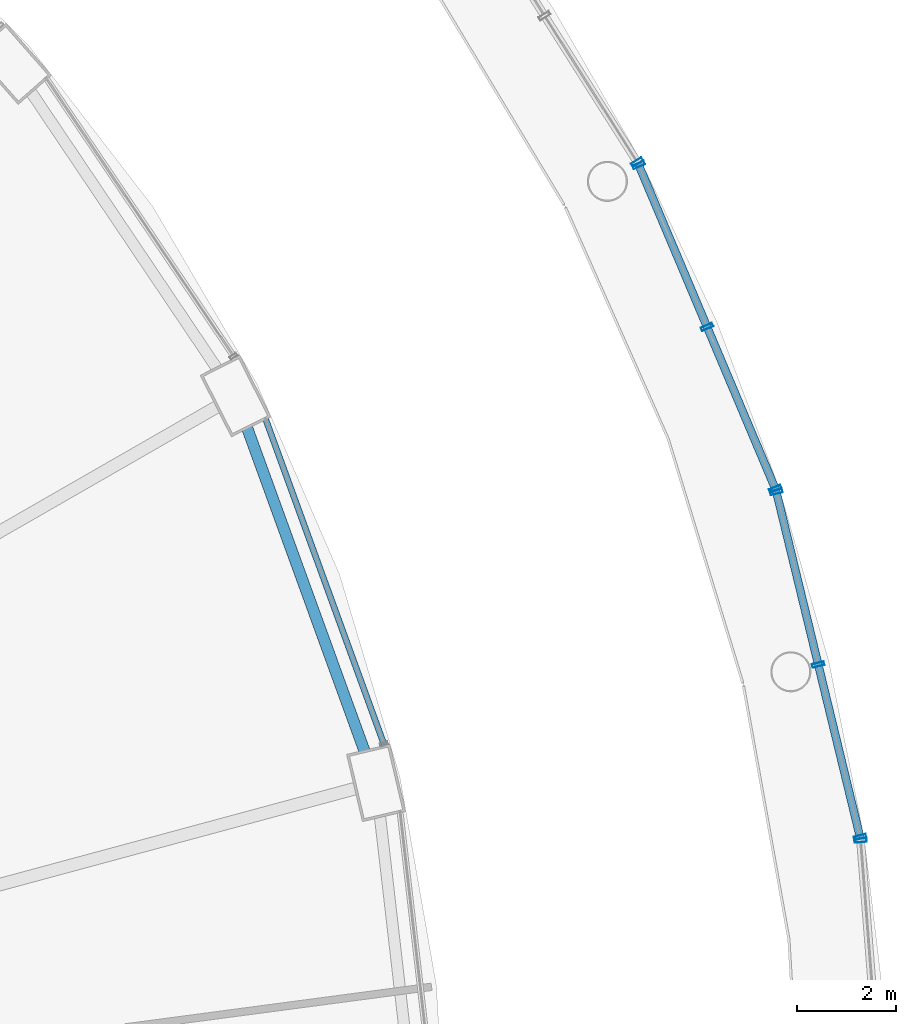
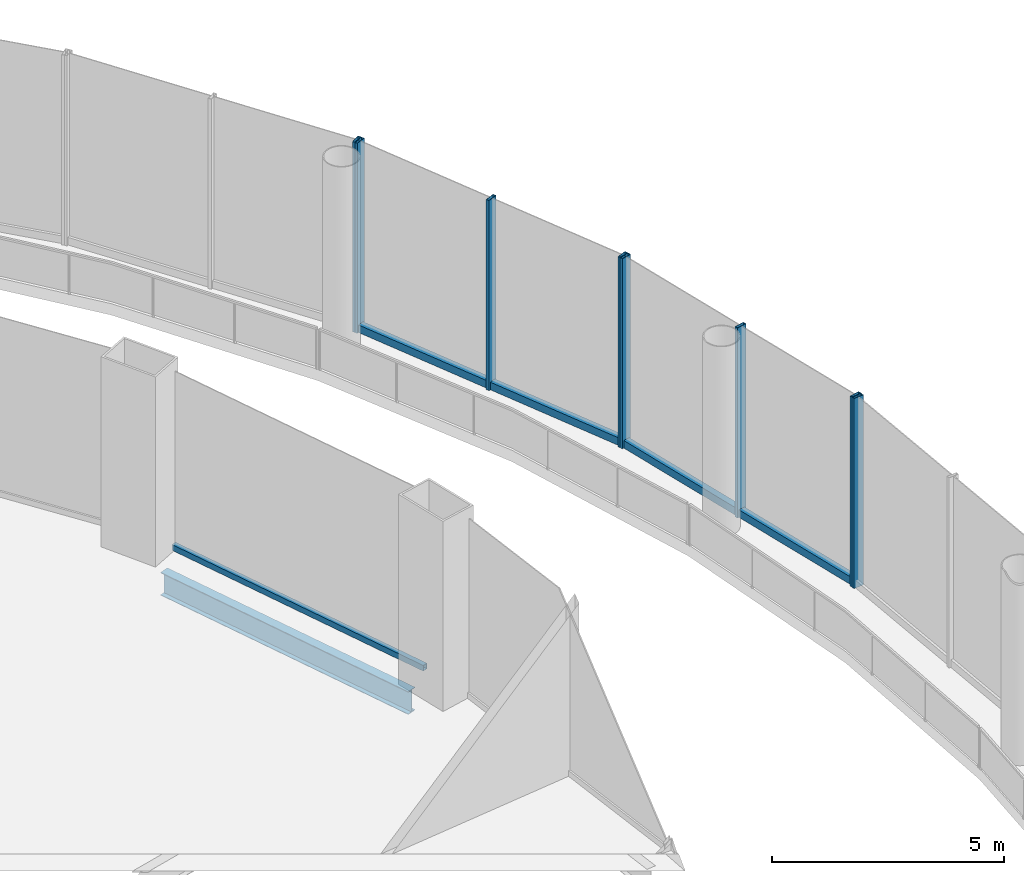
# One storey, part 27 of 47: 11 members, 1 beam, 5 elements without a shape of their own.
"""IFC4 building model written with IfcOpenShell, lengths in metres."""

import ifcopenshell
import ifcopenshell.guid

model = None  # the IFC model being written
_history = None  # IfcOwnerHistory: only IFC2X3 demands one
_inside = {}  # id of a spatial element -> (the spatial element, [elements in it])
_under = {}  # id of a project, library or spatial element -> (it, [spatial elements below it])
_declared = {}  # id of a project -> (the project, [libraries it declares])
_typed = {}  # id of a type object -> (the type object, [elements of that type])
_made_of = {}  # id of a material, layer set ... -> (it, [elements and type objects made of it])


def new_model(schema):
    """Start an empty IFC model of exactly this schema.

    Asked for "IFC4X3", IfcOpenShell would pick the latest addendum, in which some entities
    have other attributes; the version numbers below select the first issue.
    IFC2X3 requires an IfcOwnerHistory on every rooted entity: one is made here for all.
    """
    global model, _history
    if schema == "IFC4X3":
        model = ifcopenshell.file(schema_version=(4, 3, 0, 0))
    else:
        model = ifcopenshell.file(schema=schema)
    _inside.clear()
    _under.clear()
    _declared.clear()
    _typed.clear()
    _made_of.clear()
    _history = None
    if model.schema == "IFC2X3":
        org = make("IfcOrganization", Name="unknown")
        user = make(
            "IfcPersonAndOrganization",
            ThePerson=make("IfcPerson", FamilyName="unknown"),
            TheOrganization=org,
        )
        app = make(
            "IfcApplication",
            ApplicationDeveloper=org,
            Version="unknown",
            ApplicationFullName="unknown",
            ApplicationIdentifier="unknown",
        )
        _history = make(
            "IfcOwnerHistory",
            OwningUser=user,
            OwningApplication=app,
            ChangeAction="ADDED",
            CreationDate=0,
        )
    return model


def make(cls, **values):
    """One entity of the class cls with the attributes given. An attribute that is None is left unset."""
    return model.create_entity(
        cls, **{name: value for name, value in values.items() if value is not None}
    )


def rooted(cls, **values):
    """An entity with a GlobalId (a new one), such as an element, a storey or a relation."""
    return make(cls, GlobalId=ifcopenshell.guid.new(), OwnerHistory=_history, **values)


def si_unit(unit_type, name, prefix=None):
    """IfcSIUnit, for example si_unit("LENGTHUNIT", "METRE", prefix="MILLI")."""
    return make("IfcSIUnit", UnitType=unit_type, Prefix=prefix, Name=name)


def assignment(units):
    """IfcUnitAssignment: the units of a project."""
    return None if units is None else make("IfcUnitAssignment", Units=units)


def point(xyz):
    """IfcCartesianPoint."""
    return None if xyz is None else make("IfcCartesianPoint", Coordinates=xyz)


def direction(xyz):
    """IfcDirection."""
    return None if xyz is None else make("IfcDirection", DirectionRatios=xyz)


def frame(location, z_axis=None, x_axis=None):
    """IfcAxis2Placement3D, a coordinate frame: its origin and axes. An axis left out is left unset."""
    return make(
        "IfcAxis2Placement3D",
        Location=point(location),
        Axis=direction(z_axis),
        RefDirection=direction(x_axis),
    )


def frame_2d(location, x_axis=None):
    """IfcAxis2Placement2D, a coordinate frame in the plane: its origin and x axis."""
    return make(
        "IfcAxis2Placement2D", Location=point(location), RefDirection=direction(x_axis)
    )


def origin():
    """The frame at (0, 0, 0) with its axes left unset."""
    return frame((0.0, 0.0, 0.0))


def origin_2d():
    """The frame at (0, 0) in the plane with its x axis left unset."""
    return frame_2d((0.0, 0.0))


def place(relative_to, where):
    """IfcLocalPlacement: puts the frame where relative to a parent placement (None: the world)."""
    return make(
        "IfcLocalPlacement", PlacementRelTo=relative_to, RelativePlacement=where
    )


def context(
    kind, dimensions, precision=None, world=None, true_north=None, identifier=None
):
    """IfcGeometricRepresentationContext, for example the 3D "Model" context."""
    return make(
        "IfcGeometricRepresentationContext",
        ContextIdentifier=identifier,
        ContextType=kind,
        CoordinateSpaceDimension=dimensions,
        Precision=precision,
        WorldCoordinateSystem=world,
        TrueNorth=true_north,
    )


def subcontext(parent, identifier, kind, view, scale=None):
    """IfcGeometricRepresentationSubContext, for example "Body" below "Model"."""
    return make(
        "IfcGeometricRepresentationSubContext",
        ContextIdentifier=identifier,
        ContextType=kind,
        ParentContext=parent,
        TargetScale=scale,
        TargetView=view,
    )


def project(units=None, contexts=None):
    """IfcProject with its units and contexts."""
    return rooted(
        "IfcProject",
        Name="project",
        RepresentationContexts=contexts,
        UnitsInContext=assignment(units),
    )


def spatial(cls, under=None, at=None, **own):
    """A site, building, storey or space (cls), placed at a placement, below another one or the project."""
    s = rooted(cls, ObjectPlacement=at, **own)
    if under is not None:
        _under.setdefault(under.id(), (under, []))[1].append(s)
    return s


def profile(cls, at=None, kind="AREA", **sizes):
    """A parametric profile (cls). Its sizes go by their IFC names, for example OverallWidth=200.0."""
    return make(cls, ProfileType=kind, Position=at, **sizes)


def hollow_rectangle(**sizes):
    """IfcRectangleHollowProfileDef."""
    return profile("IfcRectangleHollowProfileDef", **sizes)


def i_section(**sizes):
    """IfcIShapeProfileDef."""
    return profile("IfcIShapeProfileDef", **sizes)


def extrude(swept, where, along, depth):
    """IfcExtrudedAreaSolid: the profile swept, set in the frame where, extruded along a direction by depth."""
    return make(
        "IfcExtrudedAreaSolid",
        SweptArea=swept,
        Position=where,
        ExtrudedDirection=direction(along),
        Depth=depth,
    )


def shape(context_of_items, identifier, shape_type, items):
    """IfcShapeRepresentation: the items that make up one representation, for example the "Body"."""
    return make(
        "IfcShapeRepresentation",
        ContextOfItems=context_of_items,
        RepresentationIdentifier=identifier,
        RepresentationType=shape_type,
        Items=items,
    )


def material(Name=None, Category=None):
    """IfcMaterial."""
    return make("IfcMaterial", Name=Name, Category=Category)


def layer(
    of_material, thickness, ventilated=None, Name=None, Category=None, Priority=None
):
    """IfcMaterialLayer: one layer of a wall or slab, of a material (None: an air gap)."""
    return make(
        "IfcMaterialLayer",
        Material=of_material,
        LayerThickness=thickness,
        IsVentilated=ventilated,
        Name=Name,
        Category=Category,
        Priority=Priority,
    )


def layer_set(layers, Name=None):
    """IfcMaterialLayerSet."""
    return make("IfcMaterialLayerSet", MaterialLayers=layers, LayerSetName=Name)


def material_profile(
    of_material, cross_section, Name=None, Category=None, Priority=None
):
    """IfcMaterialProfile: a cross section and its material."""
    return make(
        "IfcMaterialProfile",
        Name=Name,
        Material=of_material,
        Profile=cross_section,
        Priority=Priority,
        Category=Category,
    )


def profile_set(profiles, Name=None, composite=None):
    """IfcMaterialProfileSet."""
    return make(
        "IfcMaterialProfileSet",
        Name=Name,
        MaterialProfiles=profiles,
        CompositeProfile=composite,
    )


def made_of(thing, what):
    """Note that an element or type object is made of a material, layer set ...; save() writes the relation."""
    if what is not None:
        _made_of.setdefault(what.id(), (what, []))[1].append(thing)
    return thing


def type_object(cls, material=None, **own):
    """A type object (cls), such as IfcWallType, which elements share."""
    return made_of(rooted(cls, **own), material)


def element(
    cls,
    number,
    at=None,
    inside=None,
    cuts=None,
    type_object=None,
    material=None,
    context=None,
    identifier="Body",
    shape_type=None,
    held_by="IfcProductDefinitionShape",
    body=None,
    shapes=None,
    **own,
):
    """One element of the class cls, such as IfcWall. Its Tag is "e" and its number.

    at: its placement. inside: the storey or other place that contains it. cuts: it is an
    opening in that element (IfcRelVoidsElement). A single representation is given by context,
    identifier, shape_type and body (its items); several are given by shapes. held_by: the class
    of the entity that holds the representations. save() writes the other relations.
    """
    e = rooted(cls, Tag="e%d" % number, ObjectPlacement=at, **own)
    if body is not None:
        shapes = [shape(context, identifier, shape_type, body)]
    if shapes is not None:
        e.Representation = make(held_by, Representations=shapes)
    if inside is not None:
        _inside.setdefault(inside.id(), (inside, []))[1].append(e)
    if cuts is not None:
        rooted(
            "IfcRelVoidsElement", RelatingBuildingElement=cuts, RelatedOpeningElement=e
        )
    if type_object is not None:
        _typed.setdefault(type_object.id(), (type_object, []))[1].append(e)
    return made_of(e, material)


def aggregate(whole, parts):
    """IfcRelAggregates: a whole, such as a stair, and the parts it consists of."""
    return rooted("IfcRelAggregates", RelatingObject=whole, RelatedObjects=parts)


def save(model, path):
    """Write the relations noted so far, then the file.

    IfcRelAggregates (storeys below a building ...), IfcRelContainedInSpatialStructure (elements
    in a storey), IfcRelDefinesByType, IfcRelAssociatesMaterial and IfcRelDeclares: one each for
    every whole, place, type object, material and project.
    """
    for whole, parts in _under.values():
        aggregate(whole, parts)
    for where, things in _inside.values():
        rooted(
            "IfcRelContainedInSpatialStructure",
            RelatedElements=things,
            RelatingStructure=where,
        )
    for kind, things in _typed.values():
        rooted("IfcRelDefinesByType", RelatedObjects=things, RelatingType=kind)
    for what, things in _made_of.values():
        rooted("IfcRelAssociatesMaterial", RelatedObjects=things, RelatingMaterial=what)
    for by, libraries in _declared.values():
        rooted("IfcRelDeclares", RelatingContext=by, RelatedDefinitions=libraries)
    model.write(path)


model = new_model("IFC4")

# Units and contexts
model_context = context("Model", 3, precision=1e-05, world=origin(), true_north=direction((0.0, 1.0)))
body_context = subcontext(model_context, "Body", "Model", "MODEL_VIEW")
ifc_project = project(units=[si_unit("LENGTHUNIT", "METRE"), si_unit("AREAUNIT", "SQUARE_METRE"), si_unit("VOLUMEUNIT", "CUBIC_METRE"), si_unit("PLANEANGLEUNIT", "RADIAN"), si_unit("MASSUNIT", "GRAM", prefix="KILO")], contexts=[model_context])

# Site, building, storey
site_placement = place(None, origin())
site = spatial("IfcSite", under=ifc_project, at=site_placement, CompositionType="ELEMENT")
building_placement = place(site_placement, origin())
building = spatial("IfcBuilding", under=site, at=building_placement, Name="Nagisa Residences", CompositionType="ELEMENT")
storey_placement = place(building_placement, frame((0.0, 0.0, 17.0)))
storey = spatial("IfcBuildingStorey", under=building, at=storey_placement, Name="L03", CompositionType="ELEMENT", Elevation=17.0)

# Curtain wall, member
ifc_material_1 = material(Name="Stainless steel curtain wall system", Category="steel")
ifc_layer_1 = layer(ifc_material_1, 0.159912109375)
ifc_layer_set_1 = layer_set([ifc_layer_1], Name="CW3 CURTAIN WALL")
curtain_wall_type_1 = type_object("IfcCurtainWallType", Name="CW3 CURTAIN WALL", PredefinedType="NOTDEFINED", material=ifc_layer_set_1)
curtain_wall_1_placement = place(storey_placement, origin())
curtain_wall_1 = element("IfcCurtainWall", 1, at=curtain_wall_1_placement, inside=storey, type_object=curtain_wall_type_1, Name="cw:CW3:L03:00", PredefinedType="NOTDEFINED")
ifc_material_2 = material(Name="Stainless steel", Category="steel")
ifc_material_profile_1 = material_profile(ifc_material_2, hollow_rectangle(XDim=0.25, YDim=0.080078125, WallThickness=0.008056640625, at=origin_2d()), Name="CW3 MULLION 250x80")
ifc_profile_set_1 = profile_set([ifc_material_profile_1], Name="Stainless steel")
member_type_1 = type_object("IfcMemberType", Name="CW3 MULLION 250x80", PredefinedType="MULLION", material=ifc_profile_set_1)
member_1_placement = place(storey_placement, frame((40.946044921875, 7.2470703125, 0.0), z_axis=(0.0, 0.0, 1.0), x_axis=(-0.996881777235, -0.078909582539, 0.0)))
member_1 = element("IfcMember", 2, at=member_1_placement, type_object=member_type_1, Name="CW3 mullion", PredefinedType="MULLION", context=body_context, shape_type="SweptSolid", body=[
    extrude(hollow_rectangle(XDim=0.25, YDim=0.080078125, WallThickness=0.008056640625, at=origin_2d()), origin(), (0.0, 0.0, 1.0), 5.0),
])
aggregate(curtain_wall_1, [member_1])

# Curtain wall, members
curtain_wall_2_placement = place(storey_placement, origin())
curtain_wall_2 = element("IfcCurtainWall", 3, at=curtain_wall_2_placement, inside=storey, type_object=curtain_wall_type_1, Name="cw:CW3:L03:01", PredefinedType="NOTDEFINED")
member_2_placement = place(storey_placement, frame((40.935546875, 7.313232421875, 0.0), z_axis=(0.0, 0.0, 1.0), x_axis=(-0.971848775146, -0.235605514043, 0.0)))
member_2 = element("IfcMember", 4, at=member_2_placement, type_object=member_type_1, Name="CW3 mullion", PredefinedType="MULLION", context=body_context, shape_type="SweptSolid", body=[
    extrude(hollow_rectangle(XDim=0.25, YDim=0.080078125, WallThickness=0.008056640625, at=origin_2d()), origin(), (0.0, 0.0, 1.0), 5.0),
])
member_3_placement = place(storey_placement, frame((40.087646484375, 10.810302734375, 0.0), z_axis=(0.0, 0.0, 1.0), x_axis=(-0.971848775146, -0.235605514043, 0.0)))
member_3 = element("IfcMember", 5, at=member_3_placement, type_object=member_type_1, Name="CW3 mullion", PredefinedType="MULLION", context=body_context, shape_type="SweptSolid", body=[
    extrude(hollow_rectangle(XDim=0.25, YDim=0.080078125, WallThickness=0.008056640625, at=origin_2d()), origin(), (0.0, 0.0, 1.0), 5.0),
])
member_4_placement = place(storey_placement, frame((39.239990234375, 14.30712890625, 0.0), z_axis=(0.0, 0.0, 1.0), x_axis=(-0.971848775146, -0.235605514043, 0.0)))
member_4 = element("IfcMember", 6, at=member_4_placement, type_object=member_type_1, Name="CW3 mullion", PredefinedType="MULLION", context=body_context, shape_type="SweptSolid", body=[
    extrude(hollow_rectangle(XDim=0.25, YDim=0.080078125, WallThickness=0.008056640625, at=origin_2d()), origin(), (0.0, 0.0, 1.0), 5.0),
])

curtain_wall_3_placement = place(storey_placement, origin())
curtain_wall_3 = element("IfcCurtainWall", 7, at=curtain_wall_3_placement, inside=storey, type_object=curtain_wall_type_1, Name="cw:CW3:L03:02", PredefinedType="NOTDEFINED")
member_5_placement = place(storey_placement, frame((39.218994140625, 14.37060546875, 0.0), z_axis=(0.0, 0.0, 1.0), x_axis=(-0.921356767819, -0.388718029417, 0.0)))
member_5 = element("IfcMember", 8, at=member_5_placement, type_object=member_type_1, Name="CW3 mullion", PredefinedType="MULLION", context=body_context, shape_type="SweptSolid", body=[
    extrude(hollow_rectangle(XDim=0.25, YDim=0.080078125, WallThickness=0.008056640625, at=origin_2d()), origin(), (0.0, 0.0, 1.0), 5.0),
])
member_6_placement = place(storey_placement, frame((37.8349609375, 17.6513671875, 0.0), z_axis=(0.0, 0.0, 1.0), x_axis=(-0.921356767819, -0.388718029417, 0.0)))
member_6 = element("IfcMember", 9, at=member_6_placement, type_object=member_type_1, Name="CW3 mullion", PredefinedType="MULLION", context=body_context, shape_type="SweptSolid", body=[
    extrude(hollow_rectangle(XDim=0.25, YDim=0.080078125, WallThickness=0.008056640625, at=origin_2d()), origin(), (0.0, 0.0, 1.0), 5.0),
])
member_7_placement = place(storey_placement, frame((36.45068359375, 20.93212890625, 0.0), z_axis=(0.0, 0.0, 1.0), x_axis=(-0.921356767819, -0.388718029417, 0.0)))
member_7 = element("IfcMember", 10, at=member_7_placement, type_object=member_type_1, Name="CW3 mullion", PredefinedType="MULLION", context=body_context, shape_type="SweptSolid", body=[
    extrude(hollow_rectangle(XDim=0.25, YDim=0.080078125, WallThickness=0.008056640625, at=origin_2d()), origin(), (0.0, 0.0, 1.0), 5.0),
])

# Curtain wall, member
curtain_wall_4_placement = place(storey_placement, origin())
curtain_wall_4 = element("IfcCurtainWall", 11, at=curtain_wall_4_placement, inside=storey, type_object=curtain_wall_type_1, Name="cw:CW3:L03:03", PredefinedType="NOTDEFINED")
member_8_placement = place(storey_placement, frame((36.419921875, 20.990966796875, 0.0), z_axis=(0.0, 0.0, 1.0), x_axis=(-0.844747368001, -0.535165286856, 0.0)))
member_8 = element("IfcMember", 12, at=member_8_placement, type_object=member_type_1, Name="CW3 mullion", PredefinedType="MULLION", context=body_context, shape_type="SweptSolid", body=[
    extrude(hollow_rectangle(XDim=0.25, YDim=0.080078125, WallThickness=0.008056640625, at=origin_2d()), origin(), (0.0, 0.0, 1.0), 5.0),
])
aggregate(curtain_wall_4, [member_8])

# Member
ifc_material_3 = material(Name="Stainless steel", Category="steel")
ifc_material_profile_2 = material_profile(ifc_material_3, hollow_rectangle(XDim=0.159912109375, YDim=0.199951171875, WallThickness=0.008056640625, at=origin_2d()), Name="CW3 TRANSOM 160x200")
ifc_profile_set_2 = profile_set([ifc_material_profile_2], Name="Stainless steel")
member_type_2 = type_object("IfcMemberType", Name="CW3 TRANSOM 160x200", PredefinedType="USERDEFINED", material=ifc_profile_set_2)
member_9_placement = place(storey_placement, frame((40.945068359375, 7.2744140625, 0.10009765625), z_axis=(-0.235637477095, 0.97184102578, 0.0), x_axis=(-0.97184102578, -0.235637477095, 0.0)))
member_9 = element("IfcMember", 13, at=member_9_placement, type_object=member_type_2, Name="CW3 transom", ObjectType="TRANSOM", PredefinedType="USERDEFINED", context=body_context, shape_type="SweptSolid", body=[
    extrude(hollow_rectangle(XDim=0.159912109375, YDim=0.199951171875, WallThickness=0.008056640625, at=origin_2d()), origin(), (0.0, 0.0, 1.0), 7.2763671875),
])

aggregate(curtain_wall_2, [member_2, member_3, member_4, member_9])

member_10_placement = place(storey_placement, frame((39.234619140625, 14.333740234375, 0.10009765625), z_axis=(-0.388708599467, 0.921360746234, 0.0), x_axis=(-0.921360746234, -0.388708599467, 0.0)))
member_10 = element("IfcMember", 14, at=member_10_placement, type_object=member_type_2, Name="CW3 transom", ObjectType="TRANSOM", PredefinedType="USERDEFINED", context=body_context, shape_type="SweptSolid", body=[
    extrude(hollow_rectangle(XDim=0.159912109375, YDim=0.199951171875, WallThickness=0.008056640625, at=origin_2d()), origin(), (0.0, 0.0, 1.0), 7.20166015625),
])

aggregate(curtain_wall_3, [member_5, member_6, member_7, member_10])

# Curtain wall, member
ifc_material_4 = material(Name="Stainless steel curtain wall system", Category="steel")
ifc_layer_2 = layer(ifc_material_4, 0.159912109375)
ifc_layer_set_2 = layer_set([ifc_layer_2], Name="CW6 CURTAIN WALL")
curtain_wall_type_2 = type_object("IfcCurtainWallType", Name="CW6 CURTAIN WALL", PredefinedType="NOTDEFINED", material=ifc_layer_set_2)
curtain_wall_5_placement = place(storey_placement, origin())
curtain_wall_5 = element("IfcCurtainWall", 15, at=curtain_wall_5_placement, inside=storey, type_object=curtain_wall_type_2, Name="cw:CW6:L03:02", PredefinedType="NOTDEFINED")
ifc_material_5 = material(Name="Stainless steel", Category="steel")
ifc_material_profile_3 = material_profile(ifc_material_5, hollow_rectangle(XDim=0.1201171875, YDim=0.14990234375, WallThickness=0.008056640625, at=origin_2d()), Name="CW6 TRANSOM 120x150")
ifc_profile_set_3 = profile_set([ifc_material_profile_3], Name="Stainless steel")
member_type_3 = type_object("IfcMemberType", Name="CW6 TRANSOM 120x150", PredefinedType="USERDEFINED", material=ifc_profile_set_3)
member_11_placement = place(storey_placement, frame((31.297119140625, 9.17138671875, 0.074951171875), z_axis=(-0.342039719013, 0.939685495587, 0.0), x_axis=(-0.939685495587, -0.342039719013, 0.0)))
member_11 = element("IfcMember", 16, at=member_11_placement, type_object=member_type_3, Name="CW6 transom", ObjectType="TRANSOM", PredefinedType="USERDEFINED", context=body_context, shape_type="SweptSolid", body=[
    extrude(hollow_rectangle(XDim=0.1201171875, YDim=0.14990234375, WallThickness=0.008056640625, at=origin_2d()), origin(), (0.0, 0.0, 1.0), 7.070068359375),
])
aggregate(curtain_wall_5, [member_11])

# Beam
ifc_material_6 = material(Name="Steel ASTM A572 Gr 50", Category="steel")
ifc_material_profile_4 = material_profile(ifc_material_6, i_section(OverallWidth=0.22802734375, OverallDepth=0.60302734375, WebThickness=0.010498046875, FlangeThickness=0.014892578125, at=origin_2d()), Name="W610x101")
ifc_profile_set_4 = profile_set([ifc_material_profile_4], Name="Steel ASTM A572 Gr 50")
beam_type = type_object("IfcBeamType", Name="Perimeter ring beam W610x101", PredefinedType="BEAM", material=ifc_profile_set_4)
beam_placement = place(storey_placement, frame((30.89501953125, 9.055419921875, -0.6015625), z_axis=(-0.341411143183, 0.939914055279, 0.0), x_axis=(-0.939914055279, -0.341411143183, 0.0)))
element("IfcBeam", 17, at=beam_placement, inside=storey, type_object=beam_type, Name="beam:L03:pb02", PredefinedType="BEAM", context=body_context, shape_type="SweptSolid", body=[
    extrude(i_section(OverallWidth=0.22802734375, OverallDepth=0.60302734375, WebThickness=0.010498046875, FlangeThickness=0.014892578125, at=origin_2d()), origin(), (0.0, 0.0, 1.0), 6.96923828125),
])

save(model, "model.ifc")
